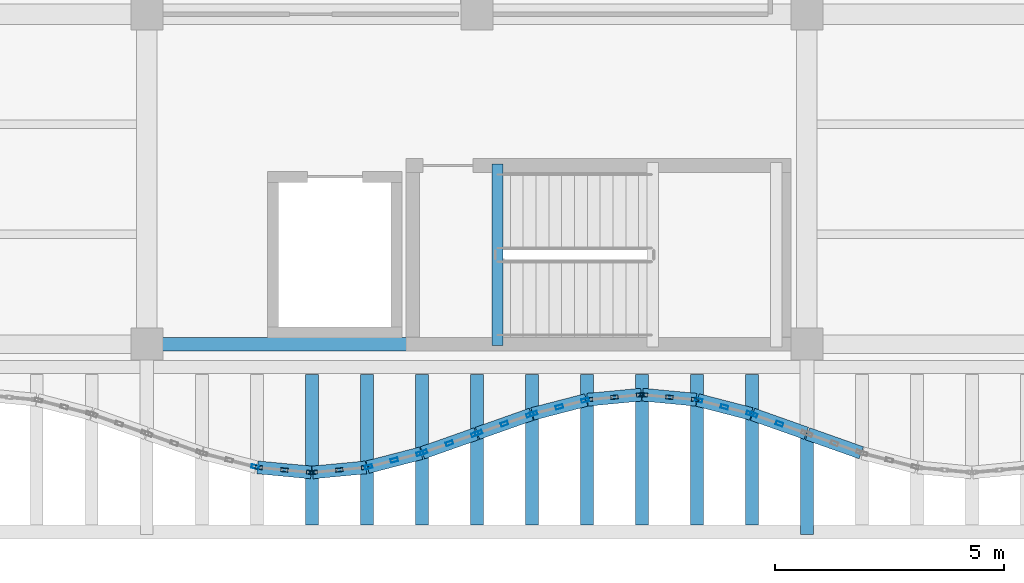
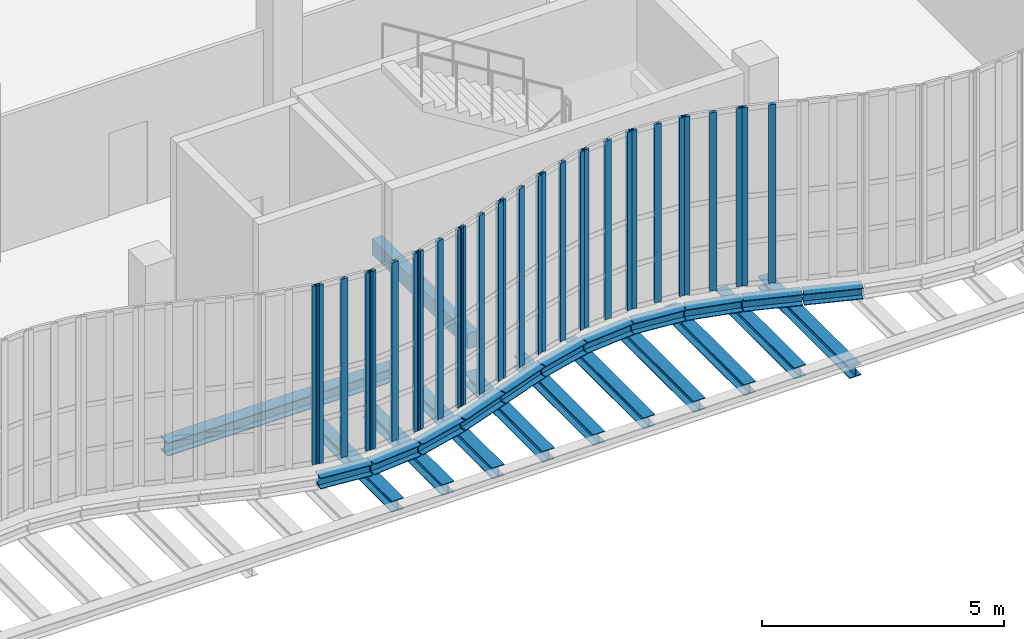
# One storey, part 36 of 108: 30 members, 23 beams, 11 elements without a shape of their own.
"""IFC4 building model written with IfcOpenShell, lengths in metres."""

from ifc_helpers import new_model, si_unit, direction, frame, origin, origin_2d, place, context, subcontext, project, spatial, rectangle, hollow_rectangle, i_section, extrude, material, layer, layer_set, material_profile, profile_set, type_object, element, aggregate, save


model = new_model("IFC4")

# Units and contexts
model_context = context("Model", 3, precision=1e-05, world=origin(), true_north=direction((0.0, 1.0)))
body_context = subcontext(model_context, "Body", "Model", "MODEL_VIEW")
ifc_project = project(units=[si_unit("LENGTHUNIT", "METRE"), si_unit("AREAUNIT", "SQUARE_METRE"), si_unit("VOLUMEUNIT", "CUBIC_METRE"), si_unit("PLANEANGLEUNIT", "RADIAN"), si_unit("MASSUNIT", "GRAM", prefix="KILO"), si_unit("THERMODYNAMICTEMPERATUREUNIT", "KELVIN"), si_unit("POWERUNIT", "WATT")], contexts=[model_context])

# Site, building, storey
site_placement = place(None, origin())
site = spatial("IfcSite", under=ifc_project, at=site_placement, CompositionType="ELEMENT")
building_placement = place(site_placement, origin())
building = spatial("IfcBuilding", under=site, at=building_placement, Name="Kaldorven Railside Theatre", CompositionType="ELEMENT")
storey_placement = place(building_placement, frame((0.0, 0.0, 5.39990234375)))
storey = spatial("IfcBuildingStorey", under=building, at=storey_placement, Name="L01", CompositionType="ELEMENT", Elevation=5.39990234375)

# Beams
ifc_material_1 = material(Name="Steel S355", Category="steel")
ifc_material_profile_1 = material_profile(ifc_material_1, i_section(OverallWidth=0.280029296875, OverallDepth=0.280029296875, WebThickness=0.010498046875, FlangeThickness=0.01806640625, at=origin_2d()), Name="HEB 280")
ifc_profile_set_1 = profile_set([ifc_material_profile_1], Name="Steel S355")
beam_type_1 = type_object("IfcBeamType", Name="BM-HEB280", PredefinedType="SPANDREL", material=ifc_profile_set_1)
beam_1_placement = place(storey_placement, frame((116.0, 15.050048828125, -1.0), z_axis=(0.0, 1.0, 0.0), x_axis=(-1.0, 0.0, 0.0)))
element("IfcBeam", 1, at=beam_1_placement, inside=storey, type_object=beam_type_1, Name="L01 Sinusoidal Lower Cantilever Girder FOB-K010", PredefinedType="SPANDREL", context=body_context, shape_type="SweptSolid", body=[
    extrude(i_section(OverallWidth=0.280029296875, OverallDepth=0.280029296875, WebThickness=0.010498046875, FlangeThickness=0.01806640625, at=origin_2d()), origin(), (0.0, 0.0, 1.0), 3.800048828125),
])
for number, where, z_axis, x_axis, name in (
    (2, (104.014892578125, 16.512451171875, -0.43994140625), (0.99552436473, -0.094505233873, 0.0), (0.094505233873, 0.99552436473, 0.0), "L01 Sinusoidal Flute Edge Spandrel FSB-057"),
    (3, (105.21484375, 16.4013671875, -0.43994140625), (0.99552436473, 0.094505233873, 0.0), (-0.094505233873, 0.99552436473, 0.0), "L01 Sinusoidal Flute Edge Spandrel FSB-058"),
):
    element("IfcBeam", number, at=place(storey_placement, frame(where, z_axis=z_axis, x_axis=x_axis)), inside=storey, type_object=beam_type_1, Name=name, PredefinedType="SPANDREL", context=body_context, shape_type="SweptSolid", body=[
        extrude(i_section(OverallWidth=0.280029296875, OverallDepth=0.280029296875, WebThickness=0.010498046875, FlangeThickness=0.01806640625, at=origin_2d()), origin(), (0.0, 0.0, 1.0), 1.175537109375),
    ])
beam_2_placement = place(storey_placement, frame((105.199951171875, 15.260009765625, -0.719970703125), z_axis=(0.0, 1.0, 0.0), x_axis=(-1.0, 0.0, 0.0)))
element("IfcBeam", 4, at=beam_2_placement, inside=storey, type_object=beam_type_1, Name="L01 Sinusoidal Diaphragm Rib Outrigger FOB-M058", PredefinedType="SPANDREL", context=body_context, shape_type="SweptSolid", body=[
    extrude(i_section(OverallWidth=0.280029296875, OverallDepth=0.280029296875, WebThickness=0.010498046875, FlangeThickness=0.01806640625, at=origin_2d()), origin(), (0.0, 0.0, 1.0), 3.280029296875),
])
beam_3_placement = place(storey_placement, frame((106.41455078125, 16.517578125, -0.43994140625), z_axis=(0.967967836725, 0.251074226206, 0.0), x_axis=(-0.251074226206, 0.967967836725, 0.0)))
element("IfcBeam", 5, at=beam_3_placement, inside=storey, type_object=beam_type_1, Name="L01 Sinusoidal Flute Edge Spandrel FSB-059", PredefinedType="SPANDREL", context=body_context, shape_type="SweptSolid", body=[
    extrude(i_section(OverallWidth=0.280029296875, OverallDepth=0.280029296875, WebThickness=0.010498046875, FlangeThickness=0.01806640625, at=origin_2d()), origin(), (0.0, 0.0, 1.0), 1.209716796875),
])
beam_4_placement = place(storey_placement, frame((106.39990234375, 15.260009765625, -0.719970703125), z_axis=(0.0, 1.0, 0.0), x_axis=(-1.0, 0.0, 0.0)))
element("IfcBeam", 6, at=beam_4_placement, inside=storey, type_object=beam_type_1, Name="L01 Sinusoidal Diaphragm Rib Outrigger FOB-M059", PredefinedType="SPANDREL", context=body_context, shape_type="SweptSolid", body=[
    extrude(i_section(OverallWidth=0.280029296875, OverallDepth=0.280029296875, WebThickness=0.010498046875, FlangeThickness=0.01806640625, at=origin_2d()), origin(), (0.0, 0.0, 1.0), 3.280029296875),
])
beam_5_placement = place(storey_placement, frame((107.614013671875, 16.830078125, -0.43994140625), z_axis=(0.942627225161, 0.333847142245, 0.0), x_axis=(-0.333847142245, 0.942627225161, 0.0)))
element("IfcBeam", 7, at=beam_5_placement, inside=storey, type_object=beam_type_1, Name="L01 Sinusoidal Flute Edge Spandrel FSB-060", PredefinedType="SPANDREL", context=body_context, shape_type="SweptSolid", body=[
    extrude(i_section(OverallWidth=0.280029296875, OverallDepth=0.280029296875, WebThickness=0.010498046875, FlangeThickness=0.01806640625, at=origin_2d()), origin(), (0.0, 0.0, 1.0), 1.2431640625),
])
beam_6_placement = place(storey_placement, frame((107.60009765625, 15.260009765625, -0.719970703125), z_axis=(0.0, 1.0, 0.0), x_axis=(-1.0, 0.0, 0.0)))
element("IfcBeam", 8, at=beam_6_placement, inside=storey, type_object=beam_type_1, Name="L01 Sinusoidal Diaphragm Rib Outrigger FOB-M060", PredefinedType="SPANDREL", context=body_context, shape_type="SweptSolid", body=[
    extrude(i_section(OverallWidth=0.280029296875, OverallDepth=0.280029296875, WebThickness=0.010498046875, FlangeThickness=0.01806640625, at=origin_2d()), origin(), (0.0, 0.0, 1.0), 3.280029296875),
])
beam_7_placement = place(storey_placement, frame((108.814208984375, 17.2548828125, -0.43994140625), z_axis=(0.942605331688, 0.333908952671, 0.0), x_axis=(-0.333908952671, 0.942605331688, 0.0)))
element("IfcBeam", 9, at=beam_7_placement, inside=storey, type_object=beam_type_1, Name="L01 Sinusoidal Flute Edge Spandrel FSB-061", PredefinedType="SPANDREL", context=body_context, shape_type="SweptSolid", body=[
    extrude(i_section(OverallWidth=0.280029296875, OverallDepth=0.280029296875, WebThickness=0.010498046875, FlangeThickness=0.01806640625, at=origin_2d()), origin(), (0.0, 0.0, 1.0), 1.242919921875),
])
beam_8_placement = place(storey_placement, frame((108.800048828125, 15.260009765625, -0.719970703125), z_axis=(0.0, 1.0, 0.0), x_axis=(-1.0, 0.0, 0.0)))
element("IfcBeam", 10, at=beam_8_placement, inside=storey, type_object=beam_type_1, Name="L01 Sinusoidal Diaphragm Rib Outrigger FOB-M061", PredefinedType="SPANDREL", context=body_context, shape_type="SweptSolid", body=[
    extrude(i_section(OverallWidth=0.280029296875, OverallDepth=0.280029296875, WebThickness=0.010498046875, FlangeThickness=0.01806640625, at=origin_2d()), origin(), (0.0, 0.0, 1.0), 3.280029296875),
])
beam_9_placement = place(storey_placement, frame((110.014404296875, 17.6787109375, -0.43994140625), z_axis=(0.967980555895, 0.25102518481, 0.0), x_axis=(-0.25102518481, 0.967980555895, 0.0)))
element("IfcBeam", 11, at=beam_9_placement, inside=storey, type_object=beam_type_1, Name="L01 Sinusoidal Flute Edge Spandrel FSB-062", PredefinedType="SPANDREL", context=body_context, shape_type="SweptSolid", body=[
    extrude(i_section(OverallWidth=0.280029296875, OverallDepth=0.280029296875, WebThickness=0.010498046875, FlangeThickness=0.01806640625, at=origin_2d()), origin(), (0.0, 0.0, 1.0), 1.2099609375),
])
beam_10_placement = place(storey_placement, frame((110.0, 15.260009765625, -0.719970703125), z_axis=(0.0, 1.0, 0.0), x_axis=(-1.0, 0.0, 0.0)))
element("IfcBeam", 12, at=beam_10_placement, inside=storey, type_object=beam_type_1, Name="L01 Sinusoidal Diaphragm Rib Outrigger FOB-M062", PredefinedType="SPANDREL", context=body_context, shape_type="SweptSolid", body=[
    extrude(i_section(OverallWidth=0.280029296875, OverallDepth=0.280029296875, WebThickness=0.010498046875, FlangeThickness=0.01806640625, at=origin_2d()), origin(), (0.0, 0.0, 1.0), 3.280029296875),
])
beam_11_placement = place(storey_placement, frame((111.21484375, 17.987548828125, -0.43994140625), z_axis=(0.99552436473, 0.094505233873, 0.0), x_axis=(-0.094505233873, 0.99552436473, 0.0)))
element("IfcBeam", 13, at=beam_11_placement, inside=storey, type_object=beam_type_1, Name="L01 Sinusoidal Flute Edge Spandrel FSB-063", PredefinedType="SPANDREL", context=body_context, shape_type="SweptSolid", body=[
    extrude(i_section(OverallWidth=0.280029296875, OverallDepth=0.280029296875, WebThickness=0.010498046875, FlangeThickness=0.01806640625, at=origin_2d()), origin(), (0.0, 0.0, 1.0), 1.175537109375),
])
beam_12_placement = place(storey_placement, frame((111.199951171875, 15.260009765625, -0.719970703125), z_axis=(0.0, 1.0, 0.0), x_axis=(-1.0, 0.0, 0.0)))
element("IfcBeam", 14, at=beam_12_placement, inside=storey, type_object=beam_type_1, Name="L01 Sinusoidal Diaphragm Rib Outrigger FOB-M063", PredefinedType="SPANDREL", context=body_context, shape_type="SweptSolid", body=[
    extrude(i_section(OverallWidth=0.280029296875, OverallDepth=0.280029296875, WebThickness=0.010498046875, FlangeThickness=0.01806640625, at=origin_2d()), origin(), (0.0, 0.0, 1.0), 3.280029296875),
])
beam_13_placement = place(storey_placement, frame((112.414794921875, 18.0986328125, -0.43994140625), z_axis=(0.995526219207, -0.09448569665, 0.0), x_axis=(0.09448569665, 0.995526219207, 0.0)))
element("IfcBeam", 15, at=beam_13_placement, inside=storey, type_object=beam_type_1, Name="L01 Sinusoidal Flute Edge Spandrel FSB-064", PredefinedType="SPANDREL", context=body_context, shape_type="SweptSolid", body=[
    extrude(i_section(OverallWidth=0.280029296875, OverallDepth=0.280029296875, WebThickness=0.010498046875, FlangeThickness=0.01806640625, at=origin_2d()), origin(), (0.0, 0.0, 1.0), 1.17578125),
])
beam_14_placement = place(storey_placement, frame((112.39990234375, 15.260009765625, -0.719970703125), z_axis=(0.0, 1.0, 0.0), x_axis=(-1.0, 0.0, 0.0)))
element("IfcBeam", 16, at=beam_14_placement, inside=storey, type_object=beam_type_1, Name="L01 Sinusoidal Diaphragm Rib Outrigger FOB-M064", PredefinedType="SPANDREL", context=body_context, shape_type="SweptSolid", body=[
    extrude(i_section(OverallWidth=0.280029296875, OverallDepth=0.280029296875, WebThickness=0.010498046875, FlangeThickness=0.01806640625, at=origin_2d()), origin(), (0.0, 0.0, 1.0), 3.280029296875),
])
beam_15_placement = place(storey_placement, frame((113.614501953125, 17.982421875, -0.43994140625), z_axis=(0.967967836725, -0.251074226206, 0.0), x_axis=(0.251074226206, 0.967967836725, 0.0)))
element("IfcBeam", 17, at=beam_15_placement, inside=storey, type_object=beam_type_1, Name="L01 Sinusoidal Flute Edge Spandrel FSB-065", PredefinedType="SPANDREL", context=body_context, shape_type="SweptSolid", body=[
    extrude(i_section(OverallWidth=0.280029296875, OverallDepth=0.280029296875, WebThickness=0.010498046875, FlangeThickness=0.01806640625, at=origin_2d()), origin(), (0.0, 0.0, 1.0), 1.209716796875),
])
beam_16_placement = place(storey_placement, frame((113.60009765625, 15.260009765625, -0.719970703125), z_axis=(0.0, 1.0, 0.0), x_axis=(-1.0, 0.0, 0.0)))
element("IfcBeam", 18, at=beam_16_placement, inside=storey, type_object=beam_type_1, Name="L01 Sinusoidal Diaphragm Rib Outrigger FOB-M065", PredefinedType="SPANDREL", context=body_context, shape_type="SweptSolid", body=[
    extrude(i_section(OverallWidth=0.280029296875, OverallDepth=0.280029296875, WebThickness=0.010498046875, FlangeThickness=0.01806640625, at=origin_2d()), origin(), (0.0, 0.0, 1.0), 3.280029296875),
])
beam_17_placement = place(storey_placement, frame((114.814208984375, 17.669921875, -0.43994140625), z_axis=(0.942605331688, -0.333908952671, 0.0), x_axis=(0.333908952671, 0.942605331688, 0.0)))
element("IfcBeam", 19, at=beam_17_placement, inside=storey, type_object=beam_type_1, Name="L01 Sinusoidal Flute Edge Spandrel FSB-066", PredefinedType="SPANDREL", context=body_context, shape_type="SweptSolid", body=[
    extrude(i_section(OverallWidth=0.280029296875, OverallDepth=0.280029296875, WebThickness=0.010498046875, FlangeThickness=0.01806640625, at=origin_2d()), origin(), (0.0, 0.0, 1.0), 1.242919921875),
])
beam_18_placement = place(storey_placement, frame((114.800048828125, 15.260009765625, -0.719970703125), z_axis=(0.0, 1.0, 0.0), x_axis=(-1.0, 0.0, 0.0)))
element("IfcBeam", 20, at=beam_18_placement, inside=storey, type_object=beam_type_1, Name="L01 Sinusoidal Diaphragm Rib Outrigger FOB-M066", PredefinedType="SPANDREL", context=body_context, shape_type="SweptSolid", body=[
    extrude(i_section(OverallWidth=0.280029296875, OverallDepth=0.280029296875, WebThickness=0.010498046875, FlangeThickness=0.01806640625, at=origin_2d()), origin(), (0.0, 0.0, 1.0), 3.280029296875),
])
beam_19_placement = place(storey_placement, frame((116.01416015625, 17.2451171875, -0.43994140625), z_axis=(0.942605331688, -0.333908952671, 0.0), x_axis=(0.333908952671, 0.942605331688, 0.0)))
element("IfcBeam", 21, at=beam_19_placement, inside=storey, type_object=beam_type_1, Name="L01 Sinusoidal Flute Edge Spandrel FSB-067", PredefinedType="SPANDREL", context=body_context, shape_type="SweptSolid", body=[
    extrude(i_section(OverallWidth=0.280029296875, OverallDepth=0.280029296875, WebThickness=0.010498046875, FlangeThickness=0.01806640625, at=origin_2d()), origin(), (0.0, 0.0, 1.0), 1.242919921875),
])
ifc_material_profile_2 = material_profile(ifc_material_1, i_section(OverallWidth=0.300048828125, OverallDepth=0.340087890625, WebThickness=0.011962890625, FlangeThickness=0.021484375, at=origin_2d()), Name="HEB 340")
ifc_profile_set_2 = profile_set([ifc_material_profile_2], Name="Steel S355")
beam_type_2 = type_object("IfcBeamType", Name="BM-HEB340", PredefinedType="SPANDREL", material=ifc_profile_set_2)
beam_20_placement = place(storey_placement, frame((101.89990234375, 19.199951171875, -0.469970703125), z_axis=(1.0, 0.0, 0.0), x_axis=(0.0, 1.0, 0.0)))
element("IfcBeam", 22, at=beam_20_placement, inside=storey, type_object=beam_type_2, Name="L01 Foyer Spandrel Header Girder FSPN-L01", PredefinedType="SPANDREL", context=body_context, shape_type="SweptSolid", body=[
    extrude(i_section(OverallWidth=0.300048828125, OverallDepth=0.340087890625, WebThickness=0.011962890625, FlangeThickness=0.021484375, at=origin_2d()), origin(), (0.0, 0.0, 1.0), 5.52001953125),
])
ifc_material_2 = material(Name="Concrete C40/50", Category="concrete")
ifc_material_profile_3 = material_profile(ifc_material_2, rectangle(XDim=0.25, YDim=0.39990234375, at=origin_2d()), Name="RC 250x400")
ifc_profile_set_3 = profile_set([ifc_material_profile_3], Name="Concrete C40/50")
beam_type_3 = type_object("IfcBeamType", Name="BM-RC250x400", PredefinedType="LINTEL", material=ifc_profile_set_3)
beam_21_placement = place(storey_placement, frame((109.25, 19.169921875, -0.344970703125), z_axis=(0.0, 1.0, 0.0), x_axis=(-1.0, 0.0, 0.0)))
element("IfcBeam", 23, at=beam_21_placement, inside=storey, type_object=beam_type_3, Name="Stair ST-04 L01 Landing Trimmer Beam", PredefinedType="LINTEL", context=body_context, shape_type="SweptSolid", body=[
    extrude(rectangle(XDim=0.25, YDim=0.39990234375, at=origin_2d()), origin(), (0.0, 0.0, 1.0), 3.9599609375),
])

# Curtain wall, member
ifc_material_3 = material(Name="Low-E laminated solar-control glass", Category="glass")
ifc_layer_1 = layer(ifc_material_3, 0.159912109375, Name="Low-E laminated solar-control glass")
ifc_layer_set_1 = layer_set([ifc_layer_1], Name="Low-E laminated solar-control glass")
curtain_wall_type_1 = type_object("IfcCurtainWallType", Name="CWT-02", PredefinedType="USERDEFINED", material=ifc_layer_set_1)
curtain_wall_1_placement = place(storey_placement, origin())
curtain_wall_1 = element("IfcCurtainWall", 24, at=curtain_wall_1_placement, inside=storey, type_object=curtain_wall_type_1, Name="Sinusoidal Fluted Curtain Wall CW-L01-S56", ObjectType="FLUTED GLAZING", PredefinedType="USERDEFINED")
ifc_material_4 = material(Name="Anodised bronze aluminium", Category="aluminium")
ifc_material_profile_4 = material_profile(ifc_material_4, hollow_rectangle(XDim=0.080078125, YDim=0.159912109375, WallThickness=0.00634765625, at=origin_2d()), Name="RHS 160x80x6.3")
ifc_profile_set_4 = profile_set([ifc_material_profile_4], Name="Anodised bronze aluminium")
member_type = type_object("IfcMemberType", Name="CWM-160", PredefinedType="MULLION", material=ifc_profile_set_4)
member_1_placement = place(storey_placement, frame((103.961181640625, 16.52392578125, 0.0), z_axis=(0.0, 0.0, 1.0), x_axis=(0.250953760326, 0.967999075505, 0.0)))
member_1 = element("IfcMember", 25, at=member_1_placement, type_object=member_type, Name="CW-L01-S56 mullion 3", PredefinedType="MULLION", context=body_context, shape_type="SweptSolid", body=[
    extrude(hollow_rectangle(XDim=0.080078125, YDim=0.159912109375, WallThickness=0.00634765625, at=origin_2d()), origin(), (0.0, 0.0, 1.0), 4.5),
])
aggregate(curtain_wall_1, [member_1])

# Curtain wall, members
ifc_layer_2 = layer(ifc_material_3, 0.159912109375, Name="Low-E laminated solar-control glass")
ifc_layer_set_2 = layer_set([ifc_layer_2], Name="Low-E laminated solar-control glass")
curtain_wall_type_2 = type_object("IfcCurtainWallType", Name="CWT-03", PredefinedType="USERDEFINED", material=ifc_layer_set_2)
curtain_wall_2_placement = place(storey_placement, origin())
curtain_wall_2 = element("IfcCurtainWall", 26, at=curtain_wall_2_placement, inside=storey, type_object=curtain_wall_type_2, Name="Sinusoidal Fluted Curtain Wall CW-L01-S57", ObjectType="FLUTED GLAZING", PredefinedType="USERDEFINED")
member_2_placement = place(storey_placement, frame((104.039794921875, 16.510009765625, 0.0), z_axis=(0.0, 0.0, 1.0), x_axis=(0.094491973758, 0.995525623425, 0.0)))
member_2 = element("IfcMember", 27, at=member_2_placement, type_object=member_type, Name="CW-L01-S57 mullion 1", PredefinedType="MULLION", context=body_context, shape_type="SweptSolid", body=[
    extrude(hollow_rectangle(XDim=0.080078125, YDim=0.159912109375, WallThickness=0.00634765625, at=origin_2d()), origin(), (0.0, 0.0, 1.0), 4.5),
])
member_3_placement = place(storey_placement, frame((104.60009765625, 16.45703125, 0.0), z_axis=(0.0, 0.0, 1.0), x_axis=(0.094491973758, 0.995525623425, 0.0)))
member_3 = element("IfcMember", 28, at=member_3_placement, type_object=member_type, Name="CW-L01-S57 mullion 2", PredefinedType="MULLION", context=body_context, shape_type="SweptSolid", body=[
    extrude(hollow_rectangle(XDim=0.080078125, YDim=0.159912109375, WallThickness=0.00634765625, at=origin_2d()), origin(), (0.0, 0.0, 1.0), 4.5),
])
member_4_placement = place(storey_placement, frame((105.16015625, 16.40380859375, 0.0), z_axis=(0.0, 0.0, 1.0), x_axis=(0.094491973758, 0.995525623425, 0.0)))
member_4 = element("IfcMember", 29, at=member_4_placement, type_object=member_type, Name="CW-L01-S57 mullion 3", PredefinedType="MULLION", context=body_context, shape_type="SweptSolid", body=[
    extrude(hollow_rectangle(XDim=0.080078125, YDim=0.159912109375, WallThickness=0.00634765625, at=origin_2d()), origin(), (0.0, 0.0, 1.0), 4.5),
])
aggregate(curtain_wall_2, [member_2, member_3, member_4])

curtain_wall_3_placement = place(storey_placement, origin())
curtain_wall_3 = element("IfcCurtainWall", 30, at=curtain_wall_3_placement, inside=storey, type_object=curtain_wall_type_2, Name="Sinusoidal Fluted Curtain Wall CW-L01-S58", ObjectType="FLUTED GLAZING", PredefinedType="USERDEFINED")
member_5_placement = place(storey_placement, frame((105.23974609375, 16.40380859375, 0.0), z_axis=(0.0, 0.0, 1.0), x_axis=(-0.094491973758, 0.995525623425, 0.0)))
member_5 = element("IfcMember", 31, at=member_5_placement, type_object=member_type, Name="CW-L01-S58 mullion 1", PredefinedType="MULLION", context=body_context, shape_type="SweptSolid", body=[
    extrude(hollow_rectangle(XDim=0.080078125, YDim=0.159912109375, WallThickness=0.00634765625, at=origin_2d()), origin(), (0.0, 0.0, 1.0), 4.5),
])
member_6_placement = place(storey_placement, frame((105.800048828125, 16.45703125, 0.0), z_axis=(0.0, 0.0, 1.0), x_axis=(-0.094491973758, 0.995525623425, 0.0)))
member_6 = element("IfcMember", 32, at=member_6_placement, type_object=member_type, Name="CW-L01-S58 mullion 2", PredefinedType="MULLION", context=body_context, shape_type="SweptSolid", body=[
    extrude(hollow_rectangle(XDim=0.080078125, YDim=0.159912109375, WallThickness=0.00634765625, at=origin_2d()), origin(), (0.0, 0.0, 1.0), 4.5),
])
member_7_placement = place(storey_placement, frame((106.360107421875, 16.510009765625, 0.0), z_axis=(0.0, 0.0, 1.0), x_axis=(-0.094491973758, 0.995525623425, 0.0)))
member_7 = element("IfcMember", 33, at=member_7_placement, type_object=member_type, Name="CW-L01-S58 mullion 3", PredefinedType="MULLION", context=body_context, shape_type="SweptSolid", body=[
    extrude(hollow_rectangle(XDim=0.080078125, YDim=0.159912109375, WallThickness=0.00634765625, at=origin_2d()), origin(), (0.0, 0.0, 1.0), 4.5),
])
aggregate(curtain_wall_3, [member_5, member_6, member_7])

curtain_wall_4_placement = place(storey_placement, origin())
curtain_wall_4 = element("IfcCurtainWall", 34, at=curtain_wall_4_placement, inside=storey, type_object=curtain_wall_type_1, Name="Sinusoidal Fluted Curtain Wall CW-L01-S59", ObjectType="FLUTED GLAZING", PredefinedType="USERDEFINED")
member_8_placement = place(storey_placement, frame((106.438720703125, 16.52392578125, 0.0), z_axis=(0.0, 0.0, 1.0), x_axis=(-0.250953760326, 0.967999075505, 0.0)))
member_8 = element("IfcMember", 35, at=member_8_placement, type_object=member_type, Name="CW-L01-S59 mullion 1", PredefinedType="MULLION", context=body_context, shape_type="SweptSolid", body=[
    extrude(hollow_rectangle(XDim=0.080078125, YDim=0.159912109375, WallThickness=0.00634765625, at=origin_2d()), origin(), (0.0, 0.0, 1.0), 4.5),
])
member_9_placement = place(storey_placement, frame((107.0, 16.66943359375, 0.0), z_axis=(0.0, 0.0, 1.0), x_axis=(-0.250953760326, 0.967999075505, 0.0)))
member_9 = element("IfcMember", 36, at=member_9_placement, type_object=member_type, Name="CW-L01-S59 mullion 2", PredefinedType="MULLION", context=body_context, shape_type="SweptSolid", body=[
    extrude(hollow_rectangle(XDim=0.080078125, YDim=0.159912109375, WallThickness=0.00634765625, at=origin_2d()), origin(), (0.0, 0.0, 1.0), 4.5),
])
member_10_placement = place(storey_placement, frame((107.561279296875, 16.81494140625, 0.0), z_axis=(0.0, 0.0, 1.0), x_axis=(-0.250953760326, 0.967999075505, 0.0)))
member_10 = element("IfcMember", 37, at=member_10_placement, type_object=member_type, Name="CW-L01-S59 mullion 3", PredefinedType="MULLION", context=body_context, shape_type="SweptSolid", body=[
    extrude(hollow_rectangle(XDim=0.080078125, YDim=0.159912109375, WallThickness=0.00634765625, at=origin_2d()), origin(), (0.0, 0.0, 1.0), 4.5),
])
aggregate(curtain_wall_4, [member_8, member_9, member_10])

ifc_layer_3 = layer(ifc_material_3, 0.159912109375, Name="Low-E laminated solar-control glass")
ifc_layer_set_3 = layer_set([ifc_layer_3], Name="Low-E laminated solar-control glass")
curtain_wall_type_3 = type_object("IfcCurtainWallType", Name="CWT-01", PredefinedType="USERDEFINED", material=ifc_layer_set_3)
curtain_wall_5_placement = place(storey_placement, origin())
curtain_wall_5 = element("IfcCurtainWall", 38, at=curtain_wall_5_placement, inside=storey, type_object=curtain_wall_type_3, Name="Sinusoidal Fluted Curtain Wall CW-L01-S60", ObjectType="FLUTED GLAZING", PredefinedType="USERDEFINED")
member_11_placement = place(storey_placement, frame((107.6376953125, 16.83837890625, 0.0), z_axis=(0.0, 0.0, 1.0), x_axis=(-0.33384714225, 0.942627225159, 0.0)))
member_11 = element("IfcMember", 39, at=member_11_placement, type_object=member_type, Name="CW-L01-S60 mullion 1", PredefinedType="MULLION", context=body_context, shape_type="SweptSolid", body=[
    extrude(hollow_rectangle(XDim=0.080078125, YDim=0.159912109375, WallThickness=0.00634765625, at=origin_2d()), origin(), (0.0, 0.0, 1.0), 4.5),
])
member_12_placement = place(storey_placement, frame((108.199951171875, 17.03759765625, 0.0), z_axis=(0.0, 0.0, 1.0), x_axis=(-0.33384714225, 0.942627225159, 0.0)))
member_12 = element("IfcMember", 40, at=member_12_placement, type_object=member_type, Name="CW-L01-S60 mullion 2", PredefinedType="MULLION", context=body_context, shape_type="SweptSolid", body=[
    extrude(hollow_rectangle(XDim=0.080078125, YDim=0.159912109375, WallThickness=0.00634765625, at=origin_2d()), origin(), (0.0, 0.0, 1.0), 4.5),
])
member_13_placement = place(storey_placement, frame((108.76220703125, 17.236572265625, 0.0), z_axis=(0.0, 0.0, 1.0), x_axis=(-0.33384714225, 0.942627225159, 0.0)))
member_13 = element("IfcMember", 41, at=member_13_placement, type_object=member_type, Name="CW-L01-S60 mullion 3", PredefinedType="MULLION", context=body_context, shape_type="SweptSolid", body=[
    extrude(hollow_rectangle(XDim=0.080078125, YDim=0.159912109375, WallThickness=0.00634765625, at=origin_2d()), origin(), (0.0, 0.0, 1.0), 4.5),
])
aggregate(curtain_wall_5, [member_11, member_12, member_13])

curtain_wall_6_placement = place(storey_placement, origin())
curtain_wall_6 = element("IfcCurtainWall", 42, at=curtain_wall_6_placement, inside=storey, type_object=curtain_wall_type_3, Name="Sinusoidal Fluted Curtain Wall CW-L01-S61", ObjectType="FLUTED GLAZING", PredefinedType="USERDEFINED")
member_14_placement = place(storey_placement, frame((108.837646484375, 17.263427734375, 0.0), z_axis=(0.0, 0.0, 1.0), x_axis=(-0.33384714225, 0.942627225159, 0.0)))
member_14 = element("IfcMember", 43, at=member_14_placement, type_object=member_type, Name="CW-L01-S61 mullion 1", PredefinedType="MULLION", context=body_context, shape_type="SweptSolid", body=[
    extrude(hollow_rectangle(XDim=0.080078125, YDim=0.159912109375, WallThickness=0.00634765625, at=origin_2d()), origin(), (0.0, 0.0, 1.0), 4.5),
])
member_15_placement = place(storey_placement, frame((109.39990234375, 17.46240234375, 0.0), z_axis=(0.0, 0.0, 1.0), x_axis=(-0.33384714225, 0.942627225159, 0.0)))
member_15 = element("IfcMember", 44, at=member_15_placement, type_object=member_type, Name="CW-L01-S61 mullion 2", PredefinedType="MULLION", context=body_context, shape_type="SweptSolid", body=[
    extrude(hollow_rectangle(XDim=0.080078125, YDim=0.159912109375, WallThickness=0.00634765625, at=origin_2d()), origin(), (0.0, 0.0, 1.0), 4.5),
])
member_16_placement = place(storey_placement, frame((109.96240234375, 17.66162109375, 0.0), z_axis=(0.0, 0.0, 1.0), x_axis=(-0.33384714225, 0.942627225159, 0.0)))
member_16 = element("IfcMember", 45, at=member_16_placement, type_object=member_type, Name="CW-L01-S61 mullion 3", PredefinedType="MULLION", context=body_context, shape_type="SweptSolid", body=[
    extrude(hollow_rectangle(XDim=0.080078125, YDim=0.159912109375, WallThickness=0.00634765625, at=origin_2d()), origin(), (0.0, 0.0, 1.0), 4.5),
])
aggregate(curtain_wall_6, [member_14, member_15, member_16])

curtain_wall_7_placement = place(storey_placement, origin())
curtain_wall_7 = element("IfcCurtainWall", 46, at=curtain_wall_7_placement, inside=storey, type_object=curtain_wall_type_1, Name="Sinusoidal Fluted Curtain Wall CW-L01-S62", ObjectType="FLUTED GLAZING", PredefinedType="USERDEFINED")
member_17_placement = place(storey_placement, frame((110.038818359375, 17.68505859375, 0.0), z_axis=(0.0, 0.0, 1.0), x_axis=(-0.250953760326, 0.967999075505, 0.0)))
member_17 = element("IfcMember", 47, at=member_17_placement, type_object=member_type, Name="CW-L01-S62 mullion 1", PredefinedType="MULLION", context=body_context, shape_type="SweptSolid", body=[
    extrude(hollow_rectangle(XDim=0.080078125, YDim=0.159912109375, WallThickness=0.00634765625, at=origin_2d()), origin(), (0.0, 0.0, 1.0), 4.5),
])
member_18_placement = place(storey_placement, frame((110.60009765625, 17.83056640625, 0.0), z_axis=(0.0, 0.0, 1.0), x_axis=(-0.250953760326, 0.967999075505, 0.0)))
member_18 = element("IfcMember", 48, at=member_18_placement, type_object=member_type, Name="CW-L01-S62 mullion 2", PredefinedType="MULLION", context=body_context, shape_type="SweptSolid", body=[
    extrude(hollow_rectangle(XDim=0.080078125, YDim=0.159912109375, WallThickness=0.00634765625, at=origin_2d()), origin(), (0.0, 0.0, 1.0), 4.5),
])
member_19_placement = place(storey_placement, frame((111.161376953125, 17.97607421875, 0.0), z_axis=(0.0, 0.0, 1.0), x_axis=(-0.250953760326, 0.967999075505, 0.0)))
member_19 = element("IfcMember", 49, at=member_19_placement, type_object=member_type, Name="CW-L01-S62 mullion 3", PredefinedType="MULLION", context=body_context, shape_type="SweptSolid", body=[
    extrude(hollow_rectangle(XDim=0.080078125, YDim=0.159912109375, WallThickness=0.00634765625, at=origin_2d()), origin(), (0.0, 0.0, 1.0), 4.5),
])
aggregate(curtain_wall_7, [member_17, member_18, member_19])

curtain_wall_8_placement = place(storey_placement, origin())
curtain_wall_8 = element("IfcCurtainWall", 50, at=curtain_wall_8_placement, inside=storey, type_object=curtain_wall_type_2, Name="Sinusoidal Fluted Curtain Wall CW-L01-S63", ObjectType="FLUTED GLAZING", PredefinedType="USERDEFINED")
member_20_placement = place(storey_placement, frame((111.23974609375, 17.989990234375, 0.0), z_axis=(0.0, 0.0, 1.0), x_axis=(-0.094491973758, 0.995525623425, 0.0)))
member_20 = element("IfcMember", 51, at=member_20_placement, type_object=member_type, Name="CW-L01-S63 mullion 1", PredefinedType="MULLION", context=body_context, shape_type="SweptSolid", body=[
    extrude(hollow_rectangle(XDim=0.080078125, YDim=0.159912109375, WallThickness=0.00634765625, at=origin_2d()), origin(), (0.0, 0.0, 1.0), 4.5),
])
member_21_placement = place(storey_placement, frame((111.800048828125, 18.04296875, 0.0), z_axis=(0.0, 0.0, 1.0), x_axis=(-0.094491973758, 0.995525623425, 0.0)))
member_21 = element("IfcMember", 52, at=member_21_placement, type_object=member_type, Name="CW-L01-S63 mullion 2", PredefinedType="MULLION", context=body_context, shape_type="SweptSolid", body=[
    extrude(hollow_rectangle(XDim=0.080078125, YDim=0.159912109375, WallThickness=0.00634765625, at=origin_2d()), origin(), (0.0, 0.0, 1.0), 4.5),
])
member_22_placement = place(storey_placement, frame((112.360107421875, 18.09619140625, 0.0), z_axis=(0.0, 0.0, 1.0), x_axis=(-0.094491973758, 0.995525623425, 0.0)))
member_22 = element("IfcMember", 53, at=member_22_placement, type_object=member_type, Name="CW-L01-S63 mullion 3", PredefinedType="MULLION", context=body_context, shape_type="SweptSolid", body=[
    extrude(hollow_rectangle(XDim=0.080078125, YDim=0.159912109375, WallThickness=0.00634765625, at=origin_2d()), origin(), (0.0, 0.0, 1.0), 4.5),
])
aggregate(curtain_wall_8, [member_20, member_21, member_22])

curtain_wall_9_placement = place(storey_placement, origin())
curtain_wall_9 = element("IfcCurtainWall", 54, at=curtain_wall_9_placement, inside=storey, type_object=curtain_wall_type_2, Name="Sinusoidal Fluted Curtain Wall CW-L01-S64", ObjectType="FLUTED GLAZING", PredefinedType="USERDEFINED")
member_23_placement = place(storey_placement, frame((112.43994140625, 18.09619140625, 0.0), z_axis=(0.0, 0.0, 1.0), x_axis=(0.094491973758, 0.995525623425, 0.0)))
member_23 = element("IfcMember", 55, at=member_23_placement, type_object=member_type, Name="CW-L01-S64 mullion 1", PredefinedType="MULLION", context=body_context, shape_type="SweptSolid", body=[
    extrude(hollow_rectangle(XDim=0.080078125, YDim=0.159912109375, WallThickness=0.00634765625, at=origin_2d()), origin(), (0.0, 0.0, 1.0), 4.5),
])
member_24_placement = place(storey_placement, frame((113.0, 18.04296875, 0.0), z_axis=(0.0, 0.0, 1.0), x_axis=(0.094491973758, 0.995525623425, 0.0)))
member_24 = element("IfcMember", 56, at=member_24_placement, type_object=member_type, Name="CW-L01-S64 mullion 2", PredefinedType="MULLION", context=body_context, shape_type="SweptSolid", body=[
    extrude(hollow_rectangle(XDim=0.080078125, YDim=0.159912109375, WallThickness=0.00634765625, at=origin_2d()), origin(), (0.0, 0.0, 1.0), 4.5),
])
member_25_placement = place(storey_placement, frame((113.56005859375, 17.989990234375, 0.0), z_axis=(0.0, 0.0, 1.0), x_axis=(0.094491973758, 0.995525623425, 0.0)))
member_25 = element("IfcMember", 57, at=member_25_placement, type_object=member_type, Name="CW-L01-S64 mullion 3", PredefinedType="MULLION", context=body_context, shape_type="SweptSolid", body=[
    extrude(hollow_rectangle(XDim=0.080078125, YDim=0.159912109375, WallThickness=0.00634765625, at=origin_2d()), origin(), (0.0, 0.0, 1.0), 4.5),
])
aggregate(curtain_wall_9, [member_23, member_24, member_25])

curtain_wall_10_placement = place(storey_placement, origin())
curtain_wall_10 = element("IfcCurtainWall", 58, at=curtain_wall_10_placement, inside=storey, type_object=curtain_wall_type_1, Name="Sinusoidal Fluted Curtain Wall CW-L01-S65", ObjectType="FLUTED GLAZING", PredefinedType="USERDEFINED")
member_26_placement = place(storey_placement, frame((113.638671875, 17.97607421875, 0.0), z_axis=(0.0, 0.0, 1.0), x_axis=(0.250953760326, 0.967999075505, 0.0)))
member_26 = element("IfcMember", 59, at=member_26_placement, type_object=member_type, Name="CW-L01-S65 mullion 1", PredefinedType="MULLION", context=body_context, shape_type="SweptSolid", body=[
    extrude(hollow_rectangle(XDim=0.080078125, YDim=0.159912109375, WallThickness=0.00634765625, at=origin_2d()), origin(), (0.0, 0.0, 1.0), 4.5),
])
member_27_placement = place(storey_placement, frame((114.199951171875, 17.83056640625, 0.0), z_axis=(0.0, 0.0, 1.0), x_axis=(0.250953760326, 0.967999075505, 0.0)))
member_27 = element("IfcMember", 60, at=member_27_placement, type_object=member_type, Name="CW-L01-S65 mullion 2", PredefinedType="MULLION", context=body_context, shape_type="SweptSolid", body=[
    extrude(hollow_rectangle(XDim=0.080078125, YDim=0.159912109375, WallThickness=0.00634765625, at=origin_2d()), origin(), (0.0, 0.0, 1.0), 4.5),
])
member_28_placement = place(storey_placement, frame((114.76123046875, 17.68505859375, 0.0), z_axis=(0.0, 0.0, 1.0), x_axis=(0.250953760326, 0.967999075505, 0.0)))
member_28 = element("IfcMember", 61, at=member_28_placement, type_object=member_type, Name="CW-L01-S65 mullion 3", PredefinedType="MULLION", context=body_context, shape_type="SweptSolid", body=[
    extrude(hollow_rectangle(XDim=0.080078125, YDim=0.159912109375, WallThickness=0.00634765625, at=origin_2d()), origin(), (0.0, 0.0, 1.0), 4.5),
])
aggregate(curtain_wall_10, [member_26, member_27, member_28])

curtain_wall_11_placement = place(storey_placement, origin())
curtain_wall_11 = element("IfcCurtainWall", 62, at=curtain_wall_11_placement, inside=storey, type_object=curtain_wall_type_3, Name="Sinusoidal Fluted Curtain Wall CW-L01-S66", ObjectType="FLUTED GLAZING", PredefinedType="USERDEFINED")
member_29_placement = place(storey_placement, frame((114.837646484375, 17.66162109375, 0.0), z_axis=(0.0, 0.0, 1.0), x_axis=(0.33384714225, 0.942627225159, 0.0)))
member_29 = element("IfcMember", 63, at=member_29_placement, type_object=member_type, Name="CW-L01-S66 mullion 1", PredefinedType="MULLION", context=body_context, shape_type="SweptSolid", body=[
    extrude(hollow_rectangle(XDim=0.080078125, YDim=0.159912109375, WallThickness=0.00634765625, at=origin_2d()), origin(), (0.0, 0.0, 1.0), 4.5),
])
member_30_placement = place(storey_placement, frame((115.39990234375, 17.46240234375, 0.0), z_axis=(0.0, 0.0, 1.0), x_axis=(0.33384714225, 0.942627225159, 0.0)))
member_30 = element("IfcMember", 64, at=member_30_placement, type_object=member_type, Name="CW-L01-S66 mullion 2", PredefinedType="MULLION", context=body_context, shape_type="SweptSolid", body=[
    extrude(hollow_rectangle(XDim=0.080078125, YDim=0.159912109375, WallThickness=0.00634765625, at=origin_2d()), origin(), (0.0, 0.0, 1.0), 4.5),
])
aggregate(curtain_wall_11, [member_29, member_30])

save(model, "model.ifc")
